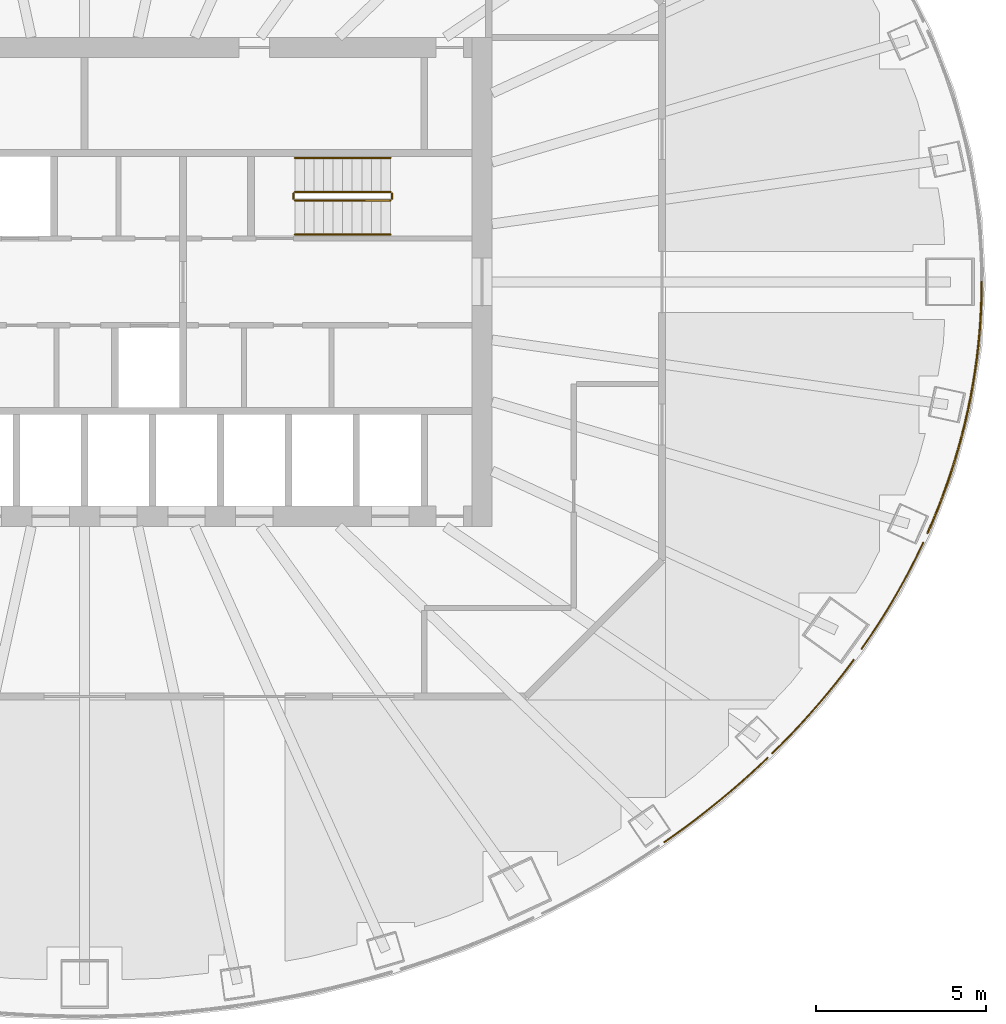
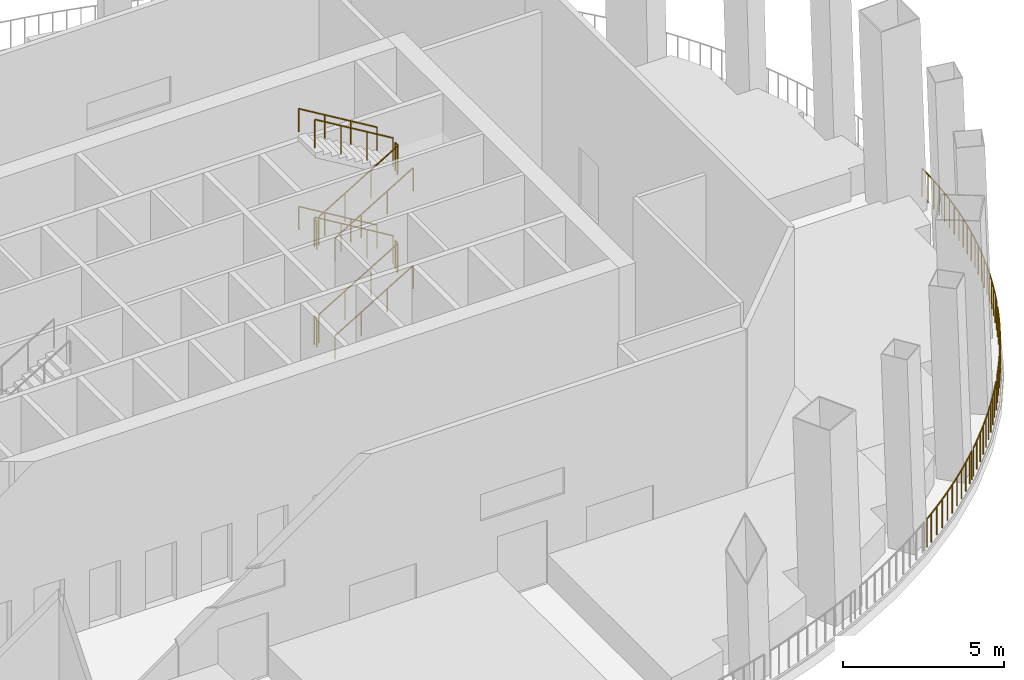
# One storey, part 11 of 13: 17 railings.
"""IFC4 building model written with IfcOpenShell, lengths in metres."""

from ifc_helpers import new_model, si_unit, direction, frame, origin, origin_2d, place, context, subcontext, project, spatial, circle, extrude, material, type_object, element, save


model = new_model("IFC4")

# Units and contexts
model_context = context("Model", 3, precision=1e-05, world=origin(), true_north=direction((0.0, 1.0)))
body_context = subcontext(model_context, "Body", "Model", "MODEL_VIEW")
ifc_project = project(units=[si_unit("LENGTHUNIT", "METRE"), si_unit("AREAUNIT", "SQUARE_METRE"), si_unit("VOLUMEUNIT", "CUBIC_METRE"), si_unit("PLANEANGLEUNIT", "RADIAN"), si_unit("MASSUNIT", "GRAM", prefix="KILO")], contexts=[model_context])

# Site, building, storey
site_placement = place(None, origin())
site = spatial("IfcSite", under=ifc_project, at=site_placement, CompositionType="ELEMENT")
building_placement = place(site_placement, origin())
building = spatial("IfcBuilding", under=site, at=building_placement, Name="Siaravel Broadcast Tower", CompositionType="ELEMENT")
storey_placement = place(building_placement, frame((0.0, 0.0, 85.199951171875)))
storey = spatial("IfcBuildingStorey", under=building, at=storey_placement, Name="L20", CompositionType="ELEMENT", Elevation=85.199951171875)

# Railings
ifc_material_1 = material(Name="Steel S355", Category="steel")
railing_type_1 = type_object("IfcRailingType", Name="Guard 1100", PredefinedType="GUARDRAIL", material=ifc_material_1)
railing_1_placement = place(storey_placement, frame((17.06640625, -16.491943359375, 0.080078125)))
element("IfcRailing", 1, at=railing_1_placement, inside=storey, type_object=railing_type_1, Name="L20 sky garden guard 32", PredefinedType="GUARDRAIL", context=body_context, shape_type="SweptSolid", body=[
    extrude(circle(Radius=0.02392578125, at=origin_2d()), frame((0.0, 0.0, 1.076171875), z_axis=(0.818797848, 0.57408195, 0.0), x_axis=(-0.57408195, 0.818797848, 0.0)), (0.0, 0.0, 1.0), 0.317138671875),
    extrude(circle(Radius=0.02392578125, at=origin_2d()), frame((0.259765625, 0.18212890625, 1.076171875), z_axis=(0.809923356, 0.586535726, 0.0), x_axis=(-0.586535726, 0.809923356, 0.0)), (0.0, 0.0, 1.0), 0.42626953125),
    extrude(circle(Radius=0.02392578125, at=origin_2d()), frame((0.60498046875, 0.43212890625, 1.076171875), z_axis=(0.8, 0.6, 0.0), x_axis=(-0.6, 0.8, 0.0)), (0.0, 0.0, 1.0), 0.4248046875),
    extrude(circle(Radius=0.02392578125, at=origin_2d()), frame((0.94482421875, 0.68701171875, 1.076171875), z_axis=(0.789849026, 0.613301326, 0.0), x_axis=(-0.613301326, 0.789849026, 0.0)), (0.0, 0.0, 1.0), 0.423095703125),
    extrude(circle(Radius=0.02392578125, at=origin_2d()), frame((1.279052734375, 0.946533203125, 1.076171875), z_axis=(0.779342431, 0.626598257, 0.0), x_axis=(-0.626598257, 0.779342431, 0.0)), (0.0, 0.0, 1.0), 0.421875),
    extrude(circle(Radius=0.02392578125, at=origin_2d()), frame((1.60791015625, 1.2109375, 1.076171875), z_axis=(0.768364074, 0.640013008, 0.0), x_axis=(-0.640013008, 0.768364074, 0.0)), (0.0, 0.0, 1.0), 0.42041015625),
    extrude(circle(Radius=0.02392578125, at=origin_2d()), frame((1.930908203125, 1.47998046875, 1.076171875), z_axis=(0.757320545, 0.653043331, 0.0), x_axis=(-0.653043331, 0.757320545, 0.0)), (0.0, 0.0, 1.0), 0.419189453125),
    extrude(circle(Radius=0.02392578125, at=origin_2d()), frame((2.248291015625, 1.753662109375, 1.076171875), z_axis=(0.745761207, 0.666213345, 0.0), x_axis=(-0.666213345, 0.745761207, 0.0)), (0.0, 0.0, 1.0), 0.41748046875),
    extrude(circle(Radius=0.02392578125, at=origin_2d()), frame((2.5595703125, 2.03173828125, 1.076171875), z_axis=(0.734150631, 0.678986635, 0.0), x_axis=(-0.678986635, 0.734150631, 0.0)), (0.0, 0.0, 1.0), 0.416015625),
    extrude(circle(Radius=0.02392578125, at=origin_2d()), frame((2.864990234375, 2.314208984375, 1.076171875), z_axis=(0.724472386, 0.689303824, 0.0), x_axis=(-0.689303824, 0.724472386, 0.0)), (0.0, 0.0, 1.0), 0.242919921875),
    extrude(circle(Radius=0.02099609375, at=origin_2d()), origin(), (0.0, 0.0, 1.0), 1.052001953125),
    extrude(circle(Radius=0.02099609375, at=origin_2d()), frame((0.259765625, 0.18212890625, 0.0)), (0.0, 0.0, 1.0), 1.052001953125),
    extrude(circle(Radius=0.02099609375, at=origin_2d()), frame((0.60498046875, 0.43212890625, 0.0)), (0.0, 0.0, 1.0), 1.052001953125),
    extrude(circle(Radius=0.02099609375, at=origin_2d()), frame((0.94482421875, 0.68701171875, 0.0)), (0.0, 0.0, 1.0), 1.052001953125),
    extrude(circle(Radius=0.02099609375, at=origin_2d()), frame((1.279052734375, 0.946533203125, 0.0)), (0.0, 0.0, 1.0), 1.052001953125),
    extrude(circle(Radius=0.02099609375, at=origin_2d()), frame((1.60791015625, 1.2109375, 0.0)), (0.0, 0.0, 1.0), 1.052001953125),
    extrude(circle(Radius=0.02099609375, at=origin_2d()), frame((1.930908203125, 1.47998046875, 0.0)), (0.0, 0.0, 1.0), 1.052001953125),
    extrude(circle(Radius=0.02099609375, at=origin_2d()), frame((2.248291015625, 1.753662109375, 0.0)), (0.0, 0.0, 1.0), 1.052001953125),
    extrude(circle(Radius=0.02099609375, at=origin_2d()), frame((2.5595703125, 2.03173828125, 0.0)), (0.0, 0.0, 1.0), 1.052001953125),
    extrude(circle(Radius=0.02099609375, at=origin_2d()), frame((2.864990234375, 2.314208984375, 0.0)), (0.0, 0.0, 1.0), 1.052001953125),
    extrude(circle(Radius=0.02099609375, at=origin_2d()), frame((3.041015625, 2.481689453125, 0.0)), (0.0, 0.0, 1.0), 1.052001953125),
])
railing_2_placement = place(storey_placement, frame((20.2412109375, -13.880859375, 0.080078125)))
element("IfcRailing", 2, at=railing_2_placement, inside=storey, type_object=railing_type_1, Name="L20 sky garden guard 33", PredefinedType="GUARDRAIL", context=body_context, shape_type="SweptSolid", body=[
    extrude(circle(Radius=0.02392578125, at=origin_2d()), frame((0.0, 0.0, 1.076171875), z_axis=(0.709553495, 0.704651571, 0.0), x_axis=(-0.704651571, 0.709553495, 0.0)), (0.0, 0.0, 1.0), 0.3984375),
    extrude(circle(Radius=0.02392578125, at=origin_2d()), frame((0.28271484375, 0.28076171875, 1.076171875), z_axis=(0.696654941, 0.717406365, 0.0), x_axis=(-0.717406365, 0.696654941, 0.0)), (0.0, 0.0, 1.0), 0.411865234375),
    extrude(circle(Radius=0.02392578125, at=origin_2d()), frame((0.569580078125, 0.576171875, 1.076171875), z_axis=(0.684435908, 0.729073033, 0.0), x_axis=(-0.729073033, 0.684435908, 0.0)), (0.0, 0.0, 1.0), 0.41015625),
    extrude(circle(Radius=0.02392578125, at=origin_2d()), frame((0.850341796875, 0.875244140625, 1.076171875), z_axis=(0.670678721, 0.741747971, 0.0), x_axis=(-0.741747971, 0.670678721, 0.0)), (0.0, 0.0, 1.0), 0.40869140625),
    extrude(circle(Radius=0.02392578125, at=origin_2d()), frame((1.12451171875, 1.178466796875, 1.076171875), z_axis=(0.656890678, 0.753985833, 0.0), x_axis=(-0.753985833, 0.656890678, 0.0)), (0.0, 0.0, 1.0), 0.4072265625),
    extrude(circle(Radius=0.02392578125, at=origin_2d()), frame((1.39208984375, 1.485595703125, 1.076171875), z_axis=(0.643079214, 0.765799663, 0.0), x_axis=(-0.765799663, 0.643079214, 0.0)), (0.0, 0.0, 1.0), 0.40576171875),
    extrude(circle(Radius=0.02392578125, at=origin_2d()), frame((1.653076171875, 1.79638671875, 1.076171875), z_axis=(0.628955103, 0.777441624, 0.0), x_axis=(-0.777441624, 0.628955103, 0.0)), (0.0, 0.0, 1.0), 0.404541015625),
    extrude(circle(Radius=0.02392578125, at=origin_2d()), frame((1.907470703125, 2.11083984375, 1.076171875), z_axis=(0.61452726, 0.788895586, 0.0), x_axis=(-0.788895586, 0.61452726, 0.0)), (0.0, 0.0, 1.0), 0.4033203125),
    extrude(circle(Radius=0.02392578125, at=origin_2d()), frame((2.1552734375, 2.428955078125, 1.076171875), z_axis=(0.599319015, 0.800510286, 0.0), x_axis=(-0.800510286, 0.599319015, 0.0)), (0.0, 0.0, 1.0), 0.401611328125),
    extrude(circle(Radius=0.02392578125, at=origin_2d()), frame((2.39599609375, 2.75048828125, 1.076171875), z_axis=(0.586509812, 0.809942122, 0.0), x_axis=(-0.809942122, 0.586509812, 0.0)), (0.0, 0.0, 1.0), 0.0087890625),
    extrude(circle(Radius=0.02099609375, at=origin_2d()), origin(), (0.0, 0.0, 1.0), 1.052001953125),
    extrude(circle(Radius=0.02099609375, at=origin_2d()), frame((0.28271484375, 0.28076171875, 0.0)), (0.0, 0.0, 1.0), 1.052001953125),
    extrude(circle(Radius=0.02099609375, at=origin_2d()), frame((0.569580078125, 0.576171875, 0.0)), (0.0, 0.0, 1.0), 1.052001953125),
    extrude(circle(Radius=0.02099609375, at=origin_2d()), frame((0.850341796875, 0.875244140625, 0.0)), (0.0, 0.0, 1.0), 1.052001953125),
    extrude(circle(Radius=0.02099609375, at=origin_2d()), frame((1.12451171875, 1.178466796875, 0.0)), (0.0, 0.0, 1.0), 1.052001953125),
    extrude(circle(Radius=0.02099609375, at=origin_2d()), frame((1.39208984375, 1.485595703125, 0.0)), (0.0, 0.0, 1.0), 1.052001953125),
    extrude(circle(Radius=0.02099609375, at=origin_2d()), frame((1.653076171875, 1.79638671875, 0.0)), (0.0, 0.0, 1.0), 1.052001953125),
    extrude(circle(Radius=0.02099609375, at=origin_2d()), frame((1.907470703125, 2.11083984375, 0.0)), (0.0, 0.0, 1.0), 1.052001953125),
    extrude(circle(Radius=0.02099609375, at=origin_2d()), frame((2.1552734375, 2.428955078125, 0.0)), (0.0, 0.0, 1.0), 1.052001953125),
    extrude(circle(Radius=0.02099609375, at=origin_2d()), frame((2.39599609375, 2.75048828125, 0.0)), (0.0, 0.0, 1.0), 1.052001953125),
    extrude(circle(Radius=0.02099609375, at=origin_2d()), frame((2.401123046875, 2.757568359375, 0.0)), (0.0, 0.0, 1.0), 1.052001953125),
])
railing_3_placement = place(storey_placement, frame((22.87109375, -10.805419921875, 0.080078125)))
element("IfcRailing", 3, at=railing_3_placement, inside=storey, type_object=railing_type_1, Name="L20 sky garden guard 34", PredefinedType="GUARDRAIL", context=body_context, shape_type="SweptSolid", body=[
    extrude(circle(Radius=0.02392578125, at=origin_2d()), frame((0.0, 0.0, 1.076171875), z_axis=(0.568732881, 0.822522285, 0.0), x_axis=(-0.822522285, 0.568732881, 0.0)), (0.0, 0.0, 1.0), 0.399169921875),
    extrude(circle(Radius=0.02392578125, at=origin_2d()), frame((0.22705078125, 0.328369140625, 1.076171875), z_axis=(0.552858024, 0.833275468, 0.0), x_axis=(-0.833275468, 0.552858024, 0.0)), (0.0, 0.0, 1.0), 0.39794921875),
    extrude(circle(Radius=0.02392578125, at=origin_2d()), frame((0.447021484375, 0.659912109375, 1.076171875), z_axis=(0.536955178, 0.843610773, 0.0), x_axis=(-0.843610773, 0.536955178, 0.0)), (0.0, 0.0, 1.0), 0.396484375),
    extrude(circle(Radius=0.02392578125, at=origin_2d()), frame((0.659912109375, 0.994384765625, 1.076171875), z_axis=(0.520025317, 0.854150847, 0.0), x_axis=(-0.854150847, 0.520025317, 0.0)), (0.0, 0.0, 1.0), 0.395263671875),
    extrude(circle(Radius=0.02392578125, at=origin_2d()), frame((0.865478515625, 1.33203125, 1.076171875), z_axis=(0.503793966, 0.863823848, 0.0), x_axis=(-0.863823848, 0.503793966, 0.0)), (0.0, 0.0, 1.0), 0.39404296875),
    extrude(circle(Radius=0.02392578125, at=origin_2d()), frame((1.06396484375, 1.67236328125, 1.076171875), z_axis=(0.486539571, 0.873658541, 0.0), x_axis=(-0.873658541, 0.486539571, 0.0)), (0.0, 0.0, 1.0), 0.392822265625),
    extrude(circle(Radius=0.02392578125, at=origin_2d()), frame((1.255126953125, 2.015625, 1.076171875), z_axis=(0.46926154, 0.883059232, 0.0), x_axis=(-0.883059232, 0.46926154, 0.0)), (0.0, 0.0, 1.0), 0.391845703125),
    extrude(circle(Radius=0.02392578125, at=origin_2d()), frame((1.43896484375, 2.361572265625, 1.076171875), z_axis=(0.451460525, 0.892291093, 0.0), x_axis=(-0.892291093, 0.451460525, 0.0)), (0.0, 0.0, 1.0), 0.390380859375),
    extrude(circle(Radius=0.02392578125, at=origin_2d()), frame((1.615234375, 2.7099609375, 1.076171875), z_axis=(0.433627202, 0.901092365, 0.0), x_axis=(-0.901092365, 0.433627202, 0.0)), (0.0, 0.0, 1.0), 0.3896484375),
    extrude(circle(Radius=0.02392578125, at=origin_2d()), frame((1.7841796875, 3.06103515625, 1.076171875), z_axis=(0.42138043, 0.906883969, 0.0), x_axis=(-0.906883969, 0.42138043, 0.0)), (0.0, 0.0, 1.0), 0.079833984375),
    extrude(circle(Radius=0.02099609375, at=origin_2d()), origin(), (0.0, 0.0, 1.0), 1.052001953125),
    extrude(circle(Radius=0.02099609375, at=origin_2d()), frame((0.22705078125, 0.328369140625, 0.0)), (0.0, 0.0, 1.0), 1.052001953125),
    extrude(circle(Radius=0.02099609375, at=origin_2d()), frame((0.447021484375, 0.659912109375, 0.0)), (0.0, 0.0, 1.0), 1.052001953125),
    extrude(circle(Radius=0.02099609375, at=origin_2d()), frame((0.659912109375, 0.994384765625, 0.0)), (0.0, 0.0, 1.0), 1.052001953125),
    extrude(circle(Radius=0.02099609375, at=origin_2d()), frame((0.865478515625, 1.33203125, 0.0)), (0.0, 0.0, 1.0), 1.052001953125),
    extrude(circle(Radius=0.02099609375, at=origin_2d()), frame((1.06396484375, 1.67236328125, 0.0)), (0.0, 0.0, 1.0), 1.052001953125),
    extrude(circle(Radius=0.02099609375, at=origin_2d()), frame((1.255126953125, 2.015625, 0.0)), (0.0, 0.0, 1.0), 1.052001953125),
    extrude(circle(Radius=0.02099609375, at=origin_2d()), frame((1.43896484375, 2.361572265625, 0.0)), (0.0, 0.0, 1.0), 1.052001953125),
    extrude(circle(Radius=0.02099609375, at=origin_2d()), frame((1.615234375, 2.7099609375, 0.0)), (0.0, 0.0, 1.0), 1.052001953125),
    extrude(circle(Radius=0.02099609375, at=origin_2d()), frame((1.7841796875, 3.06103515625, 0.0)), (0.0, 0.0, 1.0), 1.052001953125),
    extrude(circle(Radius=0.02099609375, at=origin_2d()), frame((1.81787109375, 3.133544921875, 0.0)), (0.0, 0.0, 1.0), 1.052001953125),
])
railing_4_placement = place(storey_placement, frame((24.816650390625, -7.391357421875, 0.080078125)))
element("IfcRailing", 4, at=railing_4_placement, inside=storey, type_object=railing_type_1, Name="L20 sky garden guard 35", PredefinedType="GUARDRAIL", context=body_context, shape_type="SweptSolid", body=[
    extrude(circle(Radius=0.02392578125, at=origin_2d()), frame((0.0, 0.0, 1.076171875), z_axis=(0.397413005, 0.917639855, 0.0), x_axis=(-0.917639855, 0.397413005, 0.0)), (0.0, 0.0, 1.0), 0.3876953125),
    extrude(circle(Radius=0.02392578125, at=origin_2d()), frame((0.154052734375, 0.355712890625, 1.076171875), z_axis=(0.377919108, 0.925838618, 0.0), x_axis=(-0.925838618, 0.377919108, 0.0)), (0.0, 0.0, 1.0), 0.38623046875),
    extrude(circle(Radius=0.02392578125, at=origin_2d()), frame((0.300048828125, 0.71337890625, 1.076171875), z_axis=(0.359785419, 0.933035075, 0.0), x_axis=(-0.933035075, 0.359785419, 0.0)), (0.0, 0.0, 1.0), 0.385498046875),
    extrude(circle(Radius=0.02392578125, at=origin_2d()), frame((0.438720703125, 1.072998046875, 1.076171875), z_axis=(0.340315265, 0.940311395, 0.0), x_axis=(-0.940311395, 0.340315265, 0.0)), (0.0, 0.0, 1.0), 0.384521484375),
    extrude(circle(Radius=0.02392578125, at=origin_2d()), frame((0.569580078125, 1.4345703125, 1.076171875), z_axis=(0.321184309, 0.947016705, 0.0), x_axis=(-0.947016705, 0.321184309, 0.0)), (0.0, 0.0, 1.0), 0.3837890625),
    extrude(circle(Radius=0.02392578125, at=origin_2d()), frame((0.69287109375, 1.798095703125, 1.076171875), z_axis=(0.301466882, 0.953476649, 0.0), x_axis=(-0.953476649, 0.301466882, 0.0)), (0.0, 0.0, 1.0), 0.383056640625),
    extrude(circle(Radius=0.02392578125, at=origin_2d()), frame((0.808349609375, 2.163330078125, 1.076171875), z_axis=(0.281128409, 0.959670161, 0.0), x_axis=(-0.959670161, 0.281128409, 0.0)), (0.0, 0.0, 1.0), 0.382080078125),
    extrude(circle(Radius=0.02392578125, at=origin_2d()), frame((0.915771484375, 2.530029296875, 1.076171875), z_axis=(0.261763284, 0.965132107, 0.0), x_axis=(-0.965132107, 0.261763284, 0.0)), (0.0, 0.0, 1.0), 0.38134765625),
    extrude(circle(Radius=0.02392578125, at=origin_2d()), frame((1.015625, 2.898193359375, 1.076171875), z_axis=(0.241630677, 0.970368289, 0.0), x_axis=(-0.970368289, 0.241630677, 0.0)), (0.0, 0.0, 1.0), 0.380859375),
    extrude(circle(Radius=0.02392578125, at=origin_2d()), frame((1.107666015625, 3.267822265625, 1.076171875), z_axis=(0.220871747, 0.975302861, 0.0), x_axis=(-0.975302861, 0.220871747, 0.0)), (0.0, 0.0, 1.0), 0.380126953125),
    extrude(circle(Radius=0.02099609375, at=origin_2d()), origin(), (0.0, 0.0, 1.0), 1.052001953125),
    extrude(circle(Radius=0.02099609375, at=origin_2d()), frame((0.154052734375, 0.355712890625, 0.0)), (0.0, 0.0, 1.0), 1.052001953125),
    extrude(circle(Radius=0.02099609375, at=origin_2d()), frame((0.300048828125, 0.71337890625, 0.0)), (0.0, 0.0, 1.0), 1.052001953125),
    extrude(circle(Radius=0.02099609375, at=origin_2d()), frame((0.438720703125, 1.072998046875, 0.0)), (0.0, 0.0, 1.0), 1.052001953125),
    extrude(circle(Radius=0.02099609375, at=origin_2d()), frame((0.569580078125, 1.4345703125, 0.0)), (0.0, 0.0, 1.0), 1.052001953125),
    extrude(circle(Radius=0.02099609375, at=origin_2d()), frame((0.69287109375, 1.798095703125, 0.0)), (0.0, 0.0, 1.0), 1.052001953125),
    extrude(circle(Radius=0.02099609375, at=origin_2d()), frame((0.808349609375, 2.163330078125, 0.0)), (0.0, 0.0, 1.0), 1.052001953125),
    extrude(circle(Radius=0.02099609375, at=origin_2d()), frame((0.915771484375, 2.530029296875, 0.0)), (0.0, 0.0, 1.0), 1.052001953125),
    extrude(circle(Radius=0.02099609375, at=origin_2d()), frame((1.015625, 2.898193359375, 0.0)), (0.0, 0.0, 1.0), 1.052001953125),
    extrude(circle(Radius=0.02099609375, at=origin_2d()), frame((1.107666015625, 3.267822265625, 0.0)), (0.0, 0.0, 1.0), 1.052001953125),
    extrude(circle(Radius=0.02099609375, at=origin_2d()), frame((1.191650390625, 3.638671875, 0.0)), (0.0, 0.0, 1.0), 1.052001953125),
])
railing_5_placement = place(storey_placement, frame((26.00830078125, -3.752685546875, 0.080078125)))
element("IfcRailing", 5, at=railing_5_placement, inside=storey, type_object=railing_type_1, Name="L20 sky garden guard 36", PredefinedType="GUARDRAIL", context=body_context, shape_type="SweptSolid", body=[
    extrude(circle(Radius=0.02392578125, at=origin_2d()), frame((0.0, 0.0, 1.076171875), z_axis=(0.199947416, 0.979806629, 0.0), x_axis=(-0.979806629, 0.199947416, 0.0)), (0.0, 0.0, 1.0), 0.379638671875),
    extrude(circle(Radius=0.02392578125, at=origin_2d()), frame((0.075927734375, 0.3720703125, 1.076171875), z_axis=(0.179621902, 0.983735723, 0.0), x_axis=(-0.983735723, 0.179621902, 0.0)), (0.0, 0.0, 1.0), 0.379150390625),
    extrude(circle(Radius=0.02392578125, at=origin_2d()), frame((0.14404296875, 0.7451171875, 1.076171875), z_axis=(0.158644417, 0.987335783, 0.0), x_axis=(-0.987335783, 0.158644417, 0.0)), (0.0, 0.0, 1.0), 0.378662109375),
    extrude(circle(Radius=0.02392578125, at=origin_2d()), frame((0.2041015625, 1.118896484375, 1.076171875), z_axis=(0.137990099, 0.990433608, 0.0), x_axis=(-0.990433608, 0.137990099, 0.0)), (0.0, 0.0, 1.0), 0.378662109375),
    extrude(circle(Radius=0.02392578125, at=origin_2d()), frame((0.25634765625, 1.493896484375, 1.076171875), z_axis=(0.116953717, 0.993137366, 0.0), x_axis=(-0.993137366, 0.116953717, 0.0)), (0.0, 0.0, 1.0), 0.3779296875),
    extrude(circle(Radius=0.02392578125, at=origin_2d()), frame((0.300537109375, 1.869140625, 1.076171875), z_axis=(0.096303539, 0.995352012, 0.0), x_axis=(-0.995352012, 0.096303539, 0.0)), (0.0, 0.0, 1.0), 0.377685546875),
    extrude(circle(Radius=0.02392578125, at=origin_2d()), frame((0.3369140625, 2.2451171875, 1.076171875), z_axis=(0.07437193, 0.997230573, 0.0), x_axis=(-0.997230573, 0.07437193, 0.0)), (0.0, 0.0, 1.0), 0.37744140625),
    extrude(circle(Radius=0.02392578125, at=origin_2d()), frame((0.364990234375, 2.62158203125, 1.076171875), z_axis=(0.053034068, 0.998592704, 0.0), x_axis=(-0.998592704, 0.053034068, 0.0)), (0.0, 0.0, 1.0), 0.37744140625),
    extrude(circle(Radius=0.02392578125, at=origin_2d()), frame((0.385009765625, 2.99853515625, 1.076171875), z_axis=(0.032366453, 0.999476069, 0.0), x_axis=(-0.999476069, 0.032366453, 0.0)), (0.0, 0.0, 1.0), 0.377197265625),
    extrude(circle(Radius=0.02392578125, at=origin_2d()), frame((0.397216796875, 3.37548828125, 1.076171875), z_axis=(0.010355432, 0.999946381, 0.0), x_axis=(-0.999946381, 0.010355432, 0.0)), (0.0, 0.0, 1.0), 0.377197265625),
    extrude(circle(Radius=0.02099609375, at=origin_2d()), origin(), (0.0, 0.0, 1.0), 1.052001953125),
    extrude(circle(Radius=0.02099609375, at=origin_2d()), frame((0.075927734375, 0.3720703125, 0.0)), (0.0, 0.0, 1.0), 1.052001953125),
    extrude(circle(Radius=0.02099609375, at=origin_2d()), frame((0.14404296875, 0.7451171875, 0.0)), (0.0, 0.0, 1.0), 1.052001953125),
    extrude(circle(Radius=0.02099609375, at=origin_2d()), frame((0.2041015625, 1.118896484375, 0.0)), (0.0, 0.0, 1.0), 1.052001953125),
    extrude(circle(Radius=0.02099609375, at=origin_2d()), frame((0.25634765625, 1.493896484375, 0.0)), (0.0, 0.0, 1.0), 1.052001953125),
    extrude(circle(Radius=0.02099609375, at=origin_2d()), frame((0.300537109375, 1.869140625, 0.0)), (0.0, 0.0, 1.0), 1.052001953125),
    extrude(circle(Radius=0.02099609375, at=origin_2d()), frame((0.3369140625, 2.2451171875, 0.0)), (0.0, 0.0, 1.0), 1.052001953125),
    extrude(circle(Radius=0.02099609375, at=origin_2d()), frame((0.364990234375, 2.62158203125, 0.0)), (0.0, 0.0, 1.0), 1.052001953125),
    extrude(circle(Radius=0.02099609375, at=origin_2d()), frame((0.385009765625, 2.99853515625, 0.0)), (0.0, 0.0, 1.0), 1.052001953125),
    extrude(circle(Radius=0.02099609375, at=origin_2d()), frame((0.397216796875, 3.37548828125, 0.0)), (0.0, 0.0, 1.0), 1.052001953125),
    extrude(circle(Radius=0.02099609375, at=origin_2d()), frame((0.401123046875, 3.752685546875, 0.0)), (0.0, 0.0, 1.0), 1.052001953125),
])
ifc_material_2 = material(Name="Stainless steel 316L", Category="steel")
railing_type_2 = type_object("IfcRailingType", Name="Stair guard 1100", PredefinedType="GUARDRAIL", material=ifc_material_2)
railing_6_placement = place(storey_placement, frame((6.199951171875, 2.39990234375, 0.168212890625)))
element("IfcRailing", 6, at=railing_6_placement, inside=storey, type_object=railing_type_2, Name="L20 ST-2 stair guard 1", PredefinedType="GUARDRAIL", context=body_context, shape_type="SweptSolid", body=[
    extrude(circle(Radius=0.02392578125, at=origin_2d()), frame((0.0, 0.0, 1.076171875), z_axis=(0.857242211, 0.0, 0.514913383), x_axis=(0.0, 1.0, 0.0)), (0.0, 0.0, 1.0), 3.266357421875),
    extrude(circle(Radius=0.02099609375, at=origin_2d()), origin(), (0.0, 0.0, 1.0), 1.052001953125),
    extrude(circle(Radius=0.02099609375, at=origin_2d()), frame((0.933349609375, 0.0, 0.560546875)), (0.0, 0.0, 1.0), 1.052001953125),
    extrude(circle(Radius=0.02099609375, at=origin_2d()), frame((1.86669921875, 0.0, 1.121337890625)), (0.0, 0.0, 1.0), 1.052001953125),
    extrude(circle(Radius=0.02099609375, at=origin_2d()), frame((2.800048828125, 0.0, 1.681884765625)), (0.0, 0.0, 1.0), 1.052001953125),
])
railing_7_placement = place(storey_placement, frame((9.050048828125, 2.449951171875, 1.85009765625)))
element("IfcRailing", 7, at=railing_7_placement, inside=storey, type_object=railing_type_2, Name="L20 ST-2 stair guard 2", PredefinedType="GUARDRAIL", context=body_context, shape_type="SweptSolid", body=[
    extrude(circle(Radius=0.02392578125, at=origin_2d()), frame((0.0, 0.0, 1.076171875), z_axis=(0.0, 1.0, 0.0), x_axis=(-1.0, 0.0, 0.0)), (0.0, 0.0, 1.0), 0.150146484375),
    extrude(circle(Radius=0.02099609375, at=origin_2d()), origin(), (0.0, 0.0, 1.0), 1.052001953125),
    extrude(circle(Radius=0.02099609375, at=origin_2d()), frame((0.0, 0.150146484375, 0.0)), (0.0, 0.0, 1.0), 1.052001953125),
])
railing_8_placement = place(storey_placement, frame((9.0, 2.64990234375, 2.018310546875)))
element("IfcRailing", 8, at=railing_8_placement, inside=storey, type_object=railing_type_2, Name="L20 ST-2 stair guard 3", PredefinedType="GUARDRAIL", context=body_context, shape_type="SweptSolid", body=[
    extrude(circle(Radius=0.02392578125, at=origin_2d()), frame((0.0, 0.0, 1.076171875), z_axis=(-0.857275203, 0.0, 0.514858453), x_axis=(0.0, -1.0, 0.0)), (0.0, 0.0, 1.0), 3.26611328125),
    extrude(circle(Radius=0.02099609375, at=origin_2d()), origin(), (0.0, 0.0, 1.0), 1.052001953125),
    extrude(circle(Radius=0.02099609375, at=origin_2d()), frame((-0.933349609375, 0.0, 0.560546875)), (0.0, 0.0, 1.0), 1.052001953125),
    extrude(circle(Radius=0.02099609375, at=origin_2d()), frame((-1.86669921875, 0.0, 1.12109375)), (0.0, 0.0, 1.0), 1.052001953125),
    extrude(circle(Radius=0.02099609375, at=origin_2d()), frame((-2.800048828125, 0.0, 1.681640625)), (0.0, 0.0, 1.0), 1.052001953125),
])
railing_9_placement = place(storey_placement, frame((6.14990234375, 2.449951171875, 3.699951171875)))
element("IfcRailing", 9, at=railing_9_placement, inside=storey, type_object=railing_type_2, Name="L20 ST-2 stair guard 4", PredefinedType="GUARDRAIL", context=body_context, shape_type="SweptSolid", body=[
    extrude(circle(Radius=0.02392578125, at=origin_2d()), frame((0.0, 0.0, 1.076171875), z_axis=(0.0, 1.0, 0.0), x_axis=(-1.0, 0.0, 0.0)), (0.0, 0.0, 1.0), 0.150146484375),
    extrude(circle(Radius=0.02099609375, at=origin_2d()), origin(), (0.0, 0.0, 1.0), 1.052001953125),
    extrude(circle(Radius=0.02099609375, at=origin_2d()), frame((0.0, 0.150146484375, 0.0)), (0.0, 0.0, 1.0), 1.052001953125),
])
railing_10_placement = place(storey_placement, frame((6.199951171875, 2.39990234375, 3.8681640625)))
element("IfcRailing", 10, at=railing_10_placement, inside=storey, type_object=railing_type_2, Name="L20 ST-2 stair guard 5", PredefinedType="GUARDRAIL", context=body_context, shape_type="SweptSolid", body=[
    extrude(circle(Radius=0.02392578125, at=origin_2d()), frame((0.0, 0.0, 1.076171875), z_axis=(0.857242211, 0.0, 0.514913383), x_axis=(0.0, 1.0, 0.0)), (0.0, 0.0, 1.0), 3.266357421875),
    extrude(circle(Radius=0.02099609375, at=origin_2d()), origin(), (0.0, 0.0, 1.0), 1.052001953125),
    extrude(circle(Radius=0.02099609375, at=origin_2d()), frame((0.933349609375, 0.0, 0.560546875)), (0.0, 0.0, 1.0), 1.052001953125),
    extrude(circle(Radius=0.02099609375, at=origin_2d()), frame((1.86669921875, 0.0, 1.121337890625)), (0.0, 0.0, 1.0), 1.052001953125),
    extrude(circle(Radius=0.02099609375, at=origin_2d()), frame((2.800048828125, 0.0, 1.681884765625)), (0.0, 0.0, 1.0), 1.052001953125),
])
railing_11_placement = place(storey_placement, frame((9.050048828125, 2.449951171875, 5.550048828125)))
element("IfcRailing", 11, at=railing_11_placement, inside=storey, type_object=railing_type_2, Name="L20 ST-2 stair guard 6", PredefinedType="GUARDRAIL", context=body_context, shape_type="SweptSolid", body=[
    extrude(circle(Radius=0.02392578125, at=origin_2d()), frame((0.0, 0.0, 1.076171875), z_axis=(0.0, 1.0, 0.0), x_axis=(-1.0, 0.0, 0.0)), (0.0, 0.0, 1.0), 0.150146484375),
    extrude(circle(Radius=0.02099609375, at=origin_2d()), origin(), (0.0, 0.0, 1.0), 1.052001953125),
    extrude(circle(Radius=0.02099609375, at=origin_2d()), frame((0.0, 0.150146484375, 0.0)), (0.0, 0.0, 1.0), 1.052001953125),
])
railing_12_placement = place(storey_placement, frame((9.0, 2.64990234375, 5.71826171875)))
element("IfcRailing", 12, at=railing_12_placement, inside=storey, type_object=railing_type_2, Name="L20 ST-2 stair guard 7", PredefinedType="GUARDRAIL", context=body_context, shape_type="SweptSolid", body=[
    extrude(circle(Radius=0.02392578125, at=origin_2d()), frame((0.0, 0.0, 1.076171875), z_axis=(-0.857242211, 0.0, 0.514913383), x_axis=(0.0, -1.0, 0.0)), (0.0, 0.0, 1.0), 3.266357421875),
    extrude(circle(Radius=0.02099609375, at=origin_2d()), origin(), (0.0, 0.0, 1.0), 1.052001953125),
    extrude(circle(Radius=0.02099609375, at=origin_2d()), frame((-0.933349609375, 0.0, 0.560546875)), (0.0, 0.0, 1.0), 1.052001953125),
    extrude(circle(Radius=0.02099609375, at=origin_2d()), frame((-1.86669921875, 0.0, 1.121337890625)), (0.0, 0.0, 1.0), 1.052001953125),
    extrude(circle(Radius=0.02099609375, at=origin_2d()), frame((-2.800048828125, 0.0, 1.681884765625)), (0.0, 0.0, 1.0), 1.052001953125),
])
railing_13_placement = place(storey_placement, frame((6.14990234375, 2.449951171875, 0.0)))
element("IfcRailing", 13, at=railing_13_placement, inside=storey, type_object=railing_type_2, Name="L20 ST-2 stair guard 8", PredefinedType="GUARDRAIL", context=body_context, shape_type="SweptSolid", body=[
    extrude(circle(Radius=0.02392578125, at=origin_2d()), frame((0.0, 0.0, 1.076171875), z_axis=(0.0, 1.0, 0.0), x_axis=(-1.0, 0.0, 0.0)), (0.0, 0.0, 1.0), 0.150146484375),
    extrude(circle(Radius=0.02099609375, at=origin_2d()), origin(), (0.0, 0.0, 1.0), 1.052001953125),
    extrude(circle(Radius=0.02099609375, at=origin_2d()), frame((0.0, 0.150146484375, 0.0)), (0.0, 0.0, 1.0), 1.052001953125),
])
railing_type_3 = type_object("IfcRailingType", Name="Stair handrail 900", PredefinedType="HANDRAIL", material=ifc_material_2)
railing_14_placement = place(storey_placement, frame((6.199951171875, 1.39990234375, 0.168212890625)))
element("IfcRailing", 14, at=railing_14_placement, inside=storey, type_object=railing_type_3, Name="L20 ST-2 stair handrail 1", PredefinedType="HANDRAIL", context=body_context, shape_type="SweptSolid", body=[
    extrude(circle(Radius=0.02392578125, at=origin_2d()), frame((0.0, 0.0, 0.8759765625), z_axis=(0.857242211, 0.0, 0.514913383), x_axis=(0.0, 1.0, 0.0)), (0.0, 0.0, 1.0), 3.266357421875),
    extrude(circle(Radius=0.02099609375, at=origin_2d()), origin(), (0.0, 0.0, 1.0), 0.851806640625),
    extrude(circle(Radius=0.02099609375, at=origin_2d()), frame((0.933349609375, 0.0, 0.560546875)), (0.0, 0.0, 1.0), 0.851806640625),
    extrude(circle(Radius=0.02099609375, at=origin_2d()), frame((1.86669921875, 0.0, 1.121337890625)), (0.0, 0.0, 1.0), 0.851806640625),
    extrude(circle(Radius=0.02099609375, at=origin_2d()), frame((2.800048828125, 0.0, 1.681884765625)), (0.0, 0.0, 1.0), 0.851806640625),
])
railing_15_placement = place(storey_placement, frame((9.0, 3.64990234375, 2.018310546875)))
element("IfcRailing", 15, at=railing_15_placement, inside=storey, type_object=railing_type_3, Name="L20 ST-2 stair handrail 2", PredefinedType="HANDRAIL", context=body_context, shape_type="SweptSolid", body=[
    extrude(circle(Radius=0.02392578125, at=origin_2d()), frame((0.0, 0.0, 0.8759765625), z_axis=(-0.857275203, 0.0, 0.514858453), x_axis=(0.0, -1.0, 0.0)), (0.0, 0.0, 1.0), 3.26611328125),
    extrude(circle(Radius=0.02099609375, at=origin_2d()), origin(), (0.0, 0.0, 1.0), 0.851806640625),
    extrude(circle(Radius=0.02099609375, at=origin_2d()), frame((-0.933349609375, 0.0, 0.560546875)), (0.0, 0.0, 1.0), 0.851806640625),
    extrude(circle(Radius=0.02099609375, at=origin_2d()), frame((-1.86669921875, 0.0, 1.12109375)), (0.0, 0.0, 1.0), 0.851806640625),
    extrude(circle(Radius=0.02099609375, at=origin_2d()), frame((-2.800048828125, 0.0, 1.681640625)), (0.0, 0.0, 1.0), 0.851806640625),
])
railing_16_placement = place(storey_placement, frame((6.199951171875, 1.39990234375, 3.8681640625)))
element("IfcRailing", 16, at=railing_16_placement, inside=storey, type_object=railing_type_3, Name="L20 ST-2 stair handrail 3", PredefinedType="HANDRAIL", context=body_context, shape_type="SweptSolid", body=[
    extrude(circle(Radius=0.02392578125, at=origin_2d()), frame((0.0, 0.0, 0.8759765625), z_axis=(0.857242211, 0.0, 0.514913383), x_axis=(0.0, 1.0, 0.0)), (0.0, 0.0, 1.0), 3.266357421875),
    extrude(circle(Radius=0.02099609375, at=origin_2d()), origin(), (0.0, 0.0, 1.0), 0.851806640625),
    extrude(circle(Radius=0.02099609375, at=origin_2d()), frame((0.933349609375, 0.0, 0.560546875)), (0.0, 0.0, 1.0), 0.851806640625),
    extrude(circle(Radius=0.02099609375, at=origin_2d()), frame((1.86669921875, 0.0, 1.121337890625)), (0.0, 0.0, 1.0), 0.851806640625),
    extrude(circle(Radius=0.02099609375, at=origin_2d()), frame((2.800048828125, 0.0, 1.681884765625)), (0.0, 0.0, 1.0), 0.851806640625),
])
railing_17_placement = place(storey_placement, frame((9.0, 3.64990234375, 5.71826171875)))
element("IfcRailing", 17, at=railing_17_placement, inside=storey, type_object=railing_type_3, Name="L20 ST-2 stair handrail 4", PredefinedType="HANDRAIL", context=body_context, shape_type="SweptSolid", body=[
    extrude(circle(Radius=0.02392578125, at=origin_2d()), frame((0.0, 0.0, 0.8759765625), z_axis=(-0.857242211, 0.0, 0.514913383), x_axis=(0.0, -1.0, 0.0)), (0.0, 0.0, 1.0), 3.266357421875),
    extrude(circle(Radius=0.02099609375, at=origin_2d()), origin(), (0.0, 0.0, 1.0), 0.851806640625),
    extrude(circle(Radius=0.02099609375, at=origin_2d()), frame((-0.933349609375, 0.0, 0.560546875)), (0.0, 0.0, 1.0), 0.851806640625),
    extrude(circle(Radius=0.02099609375, at=origin_2d()), frame((-1.86669921875, 0.0, 1.121337890625)), (0.0, 0.0, 1.0), 0.851806640625),
    extrude(circle(Radius=0.02099609375, at=origin_2d()), frame((-2.800048828125, 0.0, 1.681884765625)), (0.0, 0.0, 1.0), 0.851806640625),
])

save(model, "model.ifc")
